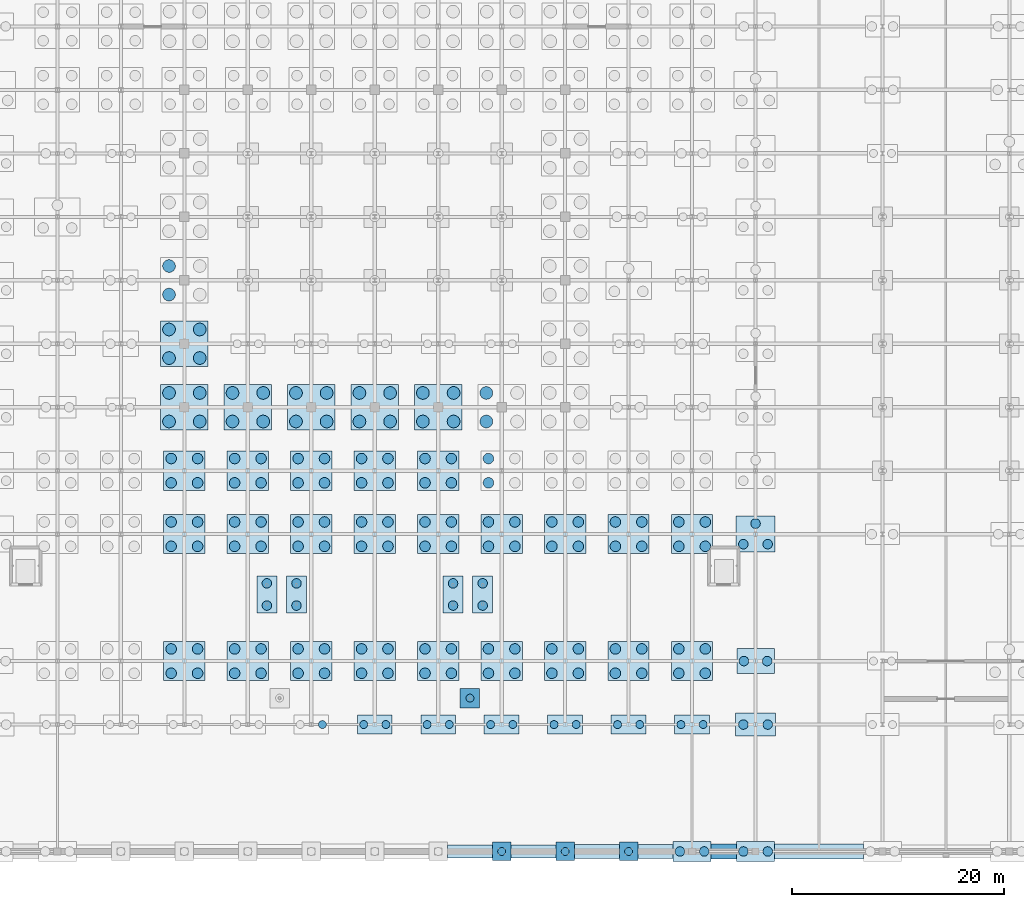
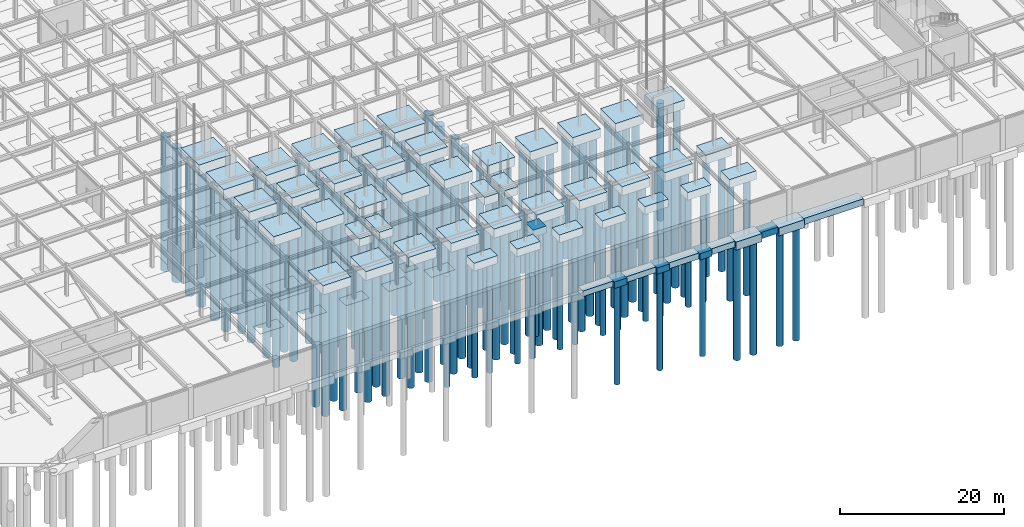
# One storey, part 3 of 69: 158 piles, 54 footings.
"""IFC4 building model written with IfcOpenShell, lengths in metres."""

from ifc_helpers import new_model, si_unit, direction, frame, origin, origin_2d, place, context, subcontext, project, spatial, rectangle, circle, extrude, material, material_profile, profile_set, type_object, element, save


model = new_model("IFC4")

# Units and contexts
model_context = context("Model", 3, precision=1e-05, world=origin(), true_north=direction((0.0, 1.0)))
body_context = subcontext(model_context, "Body", "Model", "MODEL_VIEW")
ifc_project = project(units=[si_unit("LENGTHUNIT", "METRE"), si_unit("AREAUNIT", "SQUARE_METRE"), si_unit("VOLUMEUNIT", "CUBIC_METRE"), si_unit("PLANEANGLEUNIT", "RADIAN"), si_unit("MASSUNIT", "GRAM", prefix="KILO")], contexts=[model_context])

# Site, building, storey
site_placement = place(None, origin())
site = spatial("IfcSite", under=ifc_project, at=site_placement, CompositionType="ELEMENT")
building_placement = place(site_placement, origin())
building = spatial("IfcBuilding", under=site, at=building_placement, Name="Zlatovratsky Civic Hall", CompositionType="ELEMENT")
storey_placement = place(building_placement, frame((0.0, 0.0, -4.800048828125)))
storey = spatial("IfcBuildingStorey", under=building, at=storey_placement, Name="B1", CompositionType="ELEMENT", Elevation=-4.800048828125)

# Footings
ifc_material = material(Name="Concrete C25/30 (B30)", Category="concrete")
footing_type_1 = type_object("IfcFootingType", Name="Footing_Cap1_CourtUnder_1850x1850x1000", PredefinedType="PILE_CAP", material=ifc_material)
footing_1_placement = place(storey_placement, frame((93.0, 14.5, -1.0), z_axis=(0.0, 0.0, 1.0), x_axis=(1.0, 0.0, 0.0)))
element("IfcFooting", 1, at=footing_1_placement, inside=storey, type_object=footing_type_1, Name="FD-500", PredefinedType="PILE_CAP", context=body_context, shape_type="SweptSolid", body=[
    extrude(rectangle(XDim=1.85009765625, YDim=1.85009765625, at=origin_2d()), origin(), (0.0, 0.0, 1.0), 1.0),
])
footing_type_2 = type_object("IfcFootingType", Name="Footing_Cap1_ForecourtUnder_1750x1750x950", PredefinedType="PILE_CAP", material=ifc_material)
for number, where, z_axis, x_axis, name in (
    (2, (96.0, 0.0, -0.94970703125), (0.0, 0.0, 1.0), (1.0, 0.0, 0.0), "FD-014"),
    (3, (102.0, 0.0, -0.94970703125), (0.0, 0.0, 1.0), (1.0, 0.0, 0.0), "FD-015"),
    (4, (108.0, 0.0, -0.94970703125), (0.0, 0.0, 1.0), (1.0, 0.0, 0.0), "FD-016"),
):
    element("IfcFooting", number, at=place(storey_placement, frame(where, z_axis=z_axis, x_axis=x_axis)), inside=storey, type_object=footing_type_2, Name=name, PredefinedType="PILE_CAP", context=body_context, shape_type="SweptSolid", body=[
        extrude(rectangle(XDim=1.75, YDim=1.75, at=origin_2d()), origin(), (0.0, 0.0, 1.0), 0.949951171875),
    ])
footing_type_3 = type_object("IfcFootingType", Name="Footing_Cap2_Boulevard_3550x2350x1300", PredefinedType="PILE_CAP", material=ifc_material)
footing_2_placement = place(storey_placement, frame((120.0, 18.0, -1.2998046875), z_axis=(0.0, 0.0, 1.0), x_axis=(1.0, 0.0, 0.0)))
element("IfcFooting", 5, at=footing_2_placement, inside=storey, type_object=footing_type_3, Name="FD-064", PredefinedType="PILE_CAP", context=body_context, shape_type="SweptSolid", body=[
    extrude(rectangle(XDim=3.550048828125, YDim=2.35009765625, at=origin_2d()), origin(), (0.0, 0.0, 1.0), 1.300048828125),
])
footing_type_4 = type_object("IfcFootingType", Name="Footing_Cap2_Portico_3300x1800x1150", PredefinedType="PILE_CAP", material=ifc_material)
for number, where, z_axis, x_axis, name in (
    (6, (84.0, 12.0, -1.14990234375), (0.0, 0.0, 1.0), (1.0, 0.0, 0.0), "FD-035"),
    (7, (90.0, 12.0, -1.14990234375), (0.0, 0.0, 1.0), (1.0, 0.0, 0.0), "FD-036"),
    (8, (96.0, 12.0, -1.14990234375), (0.0, 0.0, 1.0), (1.0, 0.0, 0.0), "FD-037"),
    (9, (102.0, 12.0, -1.14990234375), (0.0, 0.0, 1.0), (1.0, 0.0, 0.0), "FD-038"),
    (10, (108.0, 12.0, -1.14990234375), (0.0, 0.0, 1.0), (1.0, 0.0, 0.0), "FD-039"),
    (11, (114.0, 12.0, -1.14990234375), (0.0, 0.0, 1.0), (1.0, 0.0, 0.0), "FD-040"),
):
    element("IfcFooting", number, at=place(storey_placement, frame(where, z_axis=z_axis, x_axis=x_axis)), inside=storey, type_object=footing_type_4, Name=name, PredefinedType="PILE_CAP", context=body_context, shape_type="SweptSolid", body=[
        extrude(rectangle(XDim=3.300048828125, YDim=1.800048828125, at=origin_2d()), origin(), (0.0, 0.0, 1.0), 1.14990234375),
    ])
footing_type_5 = type_object("IfcFootingType", Name="Footing_Cap2_ServiceE_3750x2150x1250", PredefinedType="PILE_CAP", material=ifc_material)
footing_3_placement = place(storey_placement, frame((120.0, 12.0, -1.25), z_axis=(0.0, 0.0, 1.0), x_axis=(1.0, 0.0, 0.0)))
element("IfcFooting", 12, at=footing_3_placement, inside=storey, type_object=footing_type_5, Name="FD-041", PredefinedType="PILE_CAP", context=body_context, shape_type="SweptSolid", body=[
    extrude(rectangle(XDim=3.75, YDim=2.14990234375, at=origin_2d()), origin(), (0.0, 0.0, 1.0), 1.25),
])
footing_type_6 = type_object("IfcFootingType", Name="Footing_Cap2_WingEdgeX_3600x1900x1200", PredefinedType="PILE_CAP", material=ifc_material)
for number, where, z_axis, x_axis, name in (
    (13, (114.0, 0.0, -1.19970703125), (0.0, 0.0, 1.0), (1.0, 0.0, 0.0), "FD-017"),
    (14, (120.0, 0.0, -1.19970703125), (0.0, 0.0, 1.0), (1.0, 0.0, 0.0), "FD-018"),
):
    element("IfcFooting", number, at=place(storey_placement, frame(where, z_axis=z_axis, x_axis=x_axis)), inside=storey, type_object=footing_type_6, Name=name, PredefinedType="PILE_CAP", context=body_context, shape_type="SweptSolid", body=[
        extrude(rectangle(XDim=3.60009765625, YDim=1.89990234375, at=origin_2d()), origin(), (0.0, 0.0, 1.0), 1.199951171875),
    ])
footing_type_7 = type_object("IfcFootingType", Name="Footing_Cap2_WingEdgeY_1900x3500x1200", PredefinedType="PILE_CAP", material=ifc_material)
for number, where, z_axis, x_axis, name in (
    (15, (73.800048828125, 24.300048828125, -1.19970703125), (0.0, 0.0, 1.0), (1.0, 0.0, 0.0), "FD-495"),
    (16, (76.60009765625, 24.300048828125, -1.19970703125), (0.0, 0.0, 1.0), (1.0, 0.0, 0.0), "FD-496"),
    (17, (91.39990234375, 24.300048828125, -1.19970703125), (0.0, 0.0, 1.0), (1.0, 0.0, 0.0), "FD-497"),
    (18, (94.199951171875, 24.300048828125, -1.19970703125), (0.0, 0.0, 1.0), (1.0, 0.0, 0.0), "FD-498"),
):
    element("IfcFooting", number, at=place(storey_placement, frame(where, z_axis=z_axis, x_axis=x_axis)), inside=storey, type_object=footing_type_7, Name=name, PredefinedType="PILE_CAP", context=body_context, shape_type="SweptSolid", body=[
        extrude(rectangle(XDim=1.89990234375, YDim=3.5, at=origin_2d()), origin(), (0.0, 0.0, 1.0), 1.199951171875),
    ])
footing_type_8 = type_object("IfcFootingType", Name="Footing_Cap3_CourtEdge_3700x3400x1300", PredefinedType="PILE_CAP", material=ifc_material)
footing_4_placement = place(storey_placement, frame((120.0, 30.0, -1.2998046875), z_axis=(0.0, 0.0, 1.0), x_axis=(1.0, 0.0, 0.0)))
element("IfcFooting", 19, at=footing_4_placement, inside=storey, type_object=footing_type_8, Name="FD-087", PredefinedType="PILE_CAP", context=body_context, shape_type="SweptSolid", body=[
    extrude(rectangle(XDim=3.699951171875, YDim=3.39990234375, at=origin_2d()), origin(), (0.0, 0.0, 1.0), 1.300048828125),
])
footing_type_9 = type_object("IfcFootingType", Name="Footing_Cap4_ChamberDrum_4500x4300x1550", PredefinedType="PILE_CAP", material=ifc_material)
for number, where, z_axis, x_axis, name in (
    (20, (66.0, 42.0, -1.5498046875), (0.0, 0.0, 1.0), (1.0, 0.0, 0.0), "FD-124"),
    (21, (72.0, 42.0, -1.5498046875), (0.0, 0.0, 1.0), (1.0, 0.0, 0.0), "FD-125"),
    (22, (78.0, 42.0, -1.5498046875), (0.0, 0.0, 1.0), (1.0, 0.0, 0.0), "FD-126"),
    (23, (84.0, 42.0, -1.5498046875), (0.0, 0.0, 1.0), (1.0, 0.0, 0.0), "FD-127"),
    (24, (90.0, 42.0, -1.5498046875), (0.0, 0.0, 1.0), (1.0, 0.0, 0.0), "FD-128"),
    (25, (66.0, 48.0, -1.5498046875), (0.0, 0.0, 1.0), (1.0, 0.0, 0.0), "FD-147"),
):
    element("IfcFooting", number, at=place(storey_placement, frame(where, z_axis=z_axis, x_axis=x_axis)), inside=storey, type_object=footing_type_9, Name=name, PredefinedType="PILE_CAP", context=body_context, shape_type="SweptSolid", body=[
        extrude(rectangle(XDim=4.5, YDim=4.300048828125, at=origin_2d()), origin(), (0.0, 0.0, 1.0), 1.550048828125),
    ])
footing_type_10 = type_object("IfcFootingType", Name="Footing_Cap4_HallSpine_3900x3700x1350", PredefinedType="PILE_CAP", material=ifc_material)
for number, where, z_axis, x_axis, name in (
    (26, (66.0, 18.0, -1.35009765625), (0.0, 0.0, 1.0), (1.0, 0.0, 0.0), "FD-055"),
    (27, (72.0, 18.0, -1.35009765625), (0.0, 0.0, 1.0), (1.0, 0.0, 0.0), "FD-056"),
    (28, (78.0, 18.0, -1.35009765625), (0.0, 0.0, 1.0), (1.0, 0.0, 0.0), "FD-057"),
    (29, (84.0, 18.0, -1.35009765625), (0.0, 0.0, 1.0), (1.0, 0.0, 0.0), "FD-058"),
    (30, (90.0, 18.0, -1.35009765625), (0.0, 0.0, 1.0), (1.0, 0.0, 0.0), "FD-059"),
    (31, (96.0, 18.0, -1.35009765625), (0.0, 0.0, 1.0), (1.0, 0.0, 0.0), "FD-060"),
    (32, (102.0, 18.0, -1.35009765625), (0.0, 0.0, 1.0), (1.0, 0.0, 0.0), "FD-061"),
    (33, (108.0, 18.0, -1.35009765625), (0.0, 0.0, 1.0), (1.0, 0.0, 0.0), "FD-062"),
    (34, (114.0, 18.0, -1.35009765625), (0.0, 0.0, 1.0), (1.0, 0.0, 0.0), "FD-063"),
    (35, (66.0, 30.0, -1.35009765625), (0.0, 0.0, 1.0), (1.0, 0.0, 0.0), "FD-078"),
    (36, (72.0, 30.0, -1.35009765625), (0.0, 0.0, 1.0), (1.0, 0.0, 0.0), "FD-079"),
    (37, (78.0, 30.0, -1.35009765625), (0.0, 0.0, 1.0), (1.0, 0.0, 0.0), "FD-080"),
    (38, (84.0, 30.0, -1.35009765625), (0.0, 0.0, 1.0), (1.0, 0.0, 0.0), "FD-081"),
    (39, (90.0, 30.0, -1.35009765625), (0.0, 0.0, 1.0), (1.0, 0.0, 0.0), "FD-082"),
    (40, (96.0, 30.0, -1.35009765625), (0.0, 0.0, 1.0), (1.0, 0.0, 0.0), "FD-083"),
    (41, (102.0, 30.0, -1.35009765625), (0.0, 0.0, 1.0), (1.0, 0.0, 0.0), "FD-084"),
    (42, (108.0, 30.0, -1.35009765625), (0.0, 0.0, 1.0), (1.0, 0.0, 0.0), "FD-085"),
    (43, (114.0, 30.0, -1.35009765625), (0.0, 0.0, 1.0), (1.0, 0.0, 0.0), "FD-086"),
    (44, (66.0, 36.0, -1.35009765625), (0.0, 0.0, 1.0), (1.0, 0.0, 0.0), "FD-101"),
    (45, (72.0, 36.0, -1.35009765625), (0.0, 0.0, 1.0), (1.0, 0.0, 0.0), "FD-102"),
    (46, (78.0, 36.0, -1.35009765625), (0.0, 0.0, 1.0), (1.0, 0.0, 0.0), "FD-103"),
    (47, (84.0, 36.0, -1.35009765625), (0.0, 0.0, 1.0), (1.0, 0.0, 0.0), "FD-104"),
    (48, (90.0, 36.0, -1.35009765625), (0.0, 0.0, 1.0), (1.0, 0.0, 0.0), "FD-105"),
):
    element("IfcFooting", number, at=place(storey_placement, frame(where, z_axis=z_axis, x_axis=x_axis)), inside=storey, type_object=footing_type_10, Name=name, PredefinedType="PILE_CAP", context=body_context, shape_type="SweptSolid", body=[
        extrude(rectangle(XDim=3.89990234375, YDim=3.699951171875, at=origin_2d()), origin(), (0.0, 0.0, 1.0), 1.35009765625),
    ])
footing_type_11 = type_object("IfcFootingType", Name="Footing_Strip_B1_01", PredefinedType="STRIP_FOOTING", material=ifc_material)
footing_5_placement = place(storey_placement, frame((93.0, 0.0, -0.85009765625), z_axis=(0.0, 0.0, 1.0), x_axis=(1.0, 0.0, 0.0)))
element("IfcFooting", 49, at=footing_5_placement, inside=storey, type_object=footing_type_11, Name="FD-427", PredefinedType="STRIP_FOOTING", context=body_context, shape_type="SweptSolid", body=[
    extrude(rectangle(XDim=4.25, YDim=1.199951171875, at=origin_2d()), origin(), (0.0, 0.0, 1.0), 0.85009765625),
])
footing_type_12 = type_object("IfcFootingType", Name="Footing_Strip_B1_02", PredefinedType="STRIP_FOOTING", material=ifc_material)
footing_6_placement = place(storey_placement, frame((99.0, 0.0, -0.85009765625), z_axis=(0.0, 0.0, 1.0), x_axis=(1.0, 0.0, 0.0)))
element("IfcFooting", 50, at=footing_6_placement, inside=storey, type_object=footing_type_12, Name="FD-428", PredefinedType="STRIP_FOOTING", context=body_context, shape_type="SweptSolid", body=[
    extrude(rectangle(XDim=4.25, YDim=1.25, at=origin_2d()), origin(), (0.0, 0.0, 1.0), 0.85009765625),
])
footing_type_13 = type_object("IfcFootingType", Name="Footing_Strip_B1_03", PredefinedType="STRIP_FOOTING", material=ifc_material)
footing_7_placement = place(storey_placement, frame((105.0, 0.0, -0.89990234375), z_axis=(0.0, 0.0, 1.0), x_axis=(1.0, 0.0, 0.0)))
element("IfcFooting", 51, at=footing_7_placement, inside=storey, type_object=footing_type_13, Name="FD-429", PredefinedType="STRIP_FOOTING", context=body_context, shape_type="SweptSolid", body=[
    extrude(rectangle(XDim=4.25, YDim=1.300048828125, at=origin_2d()), origin(), (0.0, 0.0, 1.0), 0.89990234375),
])
footing_type_14 = type_object("IfcFootingType", Name="Footing_Strip_B1_04", PredefinedType="STRIP_FOOTING", material=ifc_material)
footing_8_placement = place(storey_placement, frame((110.53759765625, 0.0, -0.89990234375), z_axis=(0.0, 0.0, 1.0), x_axis=(1.0, 0.0, 0.0)))
element("IfcFooting", 52, at=footing_8_placement, inside=storey, type_object=footing_type_14, Name="FD-430", PredefinedType="STRIP_FOOTING", context=body_context, shape_type="SweptSolid", body=[
    extrude(rectangle(XDim=3.324951171875, YDim=1.35009765625, at=origin_2d()), origin(), (0.0, 0.0, 1.0), 0.89990234375),
])
footing_type_15 = type_object("IfcFootingType", Name="Footing_Strip_B1_05", PredefinedType="STRIP_FOOTING", material=ifc_material)
footing_9_placement = place(storey_placement, frame((117.0, 0.0, -0.94970703125), z_axis=(0.0, 0.0, 1.0), x_axis=(1.0, 0.0, 0.0)))
element("IfcFooting", 53, at=footing_9_placement, inside=storey, type_object=footing_type_15, Name="FD-431", PredefinedType="STRIP_FOOTING", context=body_context, shape_type="SweptSolid", body=[
    extrude(rectangle(XDim=2.39990234375, YDim=1.39990234375, at=origin_2d()), origin(), (0.0, 0.0, 1.0), 0.949951171875),
])
footing_type_16 = type_object("IfcFootingType", Name="Footing_Strip_B1_06", PredefinedType="STRIP_FOOTING", material=ifc_material)
footing_10_placement = place(storey_placement, frame((126.0, 0.0, -0.94970703125), z_axis=(0.0, 0.0, 1.0), x_axis=(1.0, 0.0, 0.0)))
element("IfcFooting", 54, at=footing_10_placement, inside=storey, type_object=footing_type_16, Name="FD-432", PredefinedType="STRIP_FOOTING", context=body_context, shape_type="SweptSolid", body=[
    extrude(rectangle(XDim=8.39990234375, YDim=1.449951171875, at=origin_2d()), origin(), (0.0, 0.0, 1.0), 0.949951171875),
])

# Piles
ifc_material_profile_1 = material_profile(ifc_material, circle(Radius=0.5, at=origin_2d()), Name="PILE D1000")
ifc_profile_set_1 = profile_set([ifc_material_profile_1], Name="Concrete C25/30 (B30)")
pile_type_1 = type_object("IfcPileType", Name="Pile_Bored_D1000", PredefinedType="BORED", material=ifc_profile_set_1)
for number, where, z_axis, x_axis, name in (
    (55, (64.75, 16.85009765625, -1.25), (0.0, 0.0, -1.0), (1.0, 0.0, 0.0), "PL-0110"),
    (56, (67.25, 16.85009765625, -1.25), (0.0, 0.0, -1.0), (1.0, 0.0, 0.0), "PL-0111"),
    (57, (64.75, 19.14990234375, -1.25), (0.0, 0.0, -1.0), (1.0, 0.0, 0.0), "PL-0112"),
    (58, (67.25, 19.14990234375, -1.25), (0.0, 0.0, -1.0), (1.0, 0.0, 0.0), "PL-0113"),
    (59, (70.75, 16.85009765625, -1.25), (0.0, 0.0, -1.0), (1.0, 0.0, 0.0), "PL-0114"),
    (60, (73.25, 16.85009765625, -1.25), (0.0, 0.0, -1.0), (1.0, 0.0, 0.0), "PL-0115"),
    (61, (70.75, 19.14990234375, -1.25), (0.0, 0.0, -1.0), (1.0, 0.0, 0.0), "PL-0116"),
    (62, (73.25, 19.14990234375, -1.25), (0.0, 0.0, -1.0), (1.0, 0.0, 0.0), "PL-0117"),
    (63, (76.75, 16.85009765625, -1.25), (0.0, 0.0, -1.0), (1.0, 0.0, 0.0), "PL-0118"),
    (64, (79.25, 16.85009765625, -1.25), (0.0, 0.0, -1.0), (1.0, 0.0, 0.0), "PL-0119"),
    (65, (76.75, 19.14990234375, -1.25), (0.0, 0.0, -1.0), (1.0, 0.0, 0.0), "PL-0120"),
    (66, (79.25, 19.14990234375, -1.25), (0.0, 0.0, -1.0), (1.0, 0.0, 0.0), "PL-0121"),
    (67, (82.75, 16.85009765625, -1.25), (0.0, 0.0, -1.0), (1.0, 0.0, 0.0), "PL-0122"),
    (68, (85.25, 16.85009765625, -1.25), (0.0, 0.0, -1.0), (1.0, 0.0, 0.0), "PL-0123"),
    (69, (82.75, 19.14990234375, -1.25), (0.0, 0.0, -1.0), (1.0, 0.0, 0.0), "PL-0124"),
    (70, (85.25, 19.14990234375, -1.25), (0.0, 0.0, -1.0), (1.0, 0.0, 0.0), "PL-0125"),
    (71, (88.75, 16.85009765625, -1.25), (0.0, 0.0, -1.0), (1.0, 0.0, 0.0), "PL-0126"),
    (72, (91.25, 16.85009765625, -1.25), (0.0, 0.0, -1.0), (1.0, 0.0, 0.0), "PL-0127"),
    (73, (88.75, 19.14990234375, -1.25), (0.0, 0.0, -1.0), (1.0, 0.0, 0.0), "PL-0128"),
    (74, (91.25, 19.14990234375, -1.25), (0.0, 0.0, -1.0), (1.0, 0.0, 0.0), "PL-0129"),
    (75, (94.75, 16.85009765625, -1.25), (0.0, 0.0, -1.0), (1.0, 0.0, 0.0), "PL-0130"),
    (76, (97.25, 16.85009765625, -1.25), (0.0, 0.0, -1.0), (1.0, 0.0, 0.0), "PL-0131"),
    (77, (94.75, 19.14990234375, -1.25), (0.0, 0.0, -1.0), (1.0, 0.0, 0.0), "PL-0132"),
    (78, (97.25, 19.14990234375, -1.25), (0.0, 0.0, -1.0), (1.0, 0.0, 0.0), "PL-0133"),
    (79, (100.75, 16.85009765625, -1.25), (0.0, 0.0, -1.0), (1.0, 0.0, 0.0), "PL-0134"),
    (80, (103.25, 16.85009765625, -1.25), (0.0, 0.0, -1.0), (1.0, 0.0, 0.0), "PL-0135"),
    (81, (100.75, 19.14990234375, -1.25), (0.0, 0.0, -1.0), (1.0, 0.0, 0.0), "PL-0136"),
    (82, (103.25, 19.14990234375, -1.25), (0.0, 0.0, -1.0), (1.0, 0.0, 0.0), "PL-0137"),
    (83, (106.75, 16.85009765625, -1.25), (0.0, 0.0, -1.0), (1.0, 0.0, 0.0), "PL-0138"),
    (84, (109.25, 16.85009765625, -1.25), (0.0, 0.0, -1.0), (1.0, 0.0, 0.0), "PL-0139"),
    (85, (106.75, 19.14990234375, -1.25), (0.0, 0.0, -1.0), (1.0, 0.0, 0.0), "PL-0140"),
    (86, (109.25, 19.14990234375, -1.25), (0.0, 0.0, -1.0), (1.0, 0.0, 0.0), "PL-0141"),
    (87, (112.75, 16.85009765625, -1.25), (0.0, 0.0, -1.0), (1.0, 0.0, 0.0), "PL-0142"),
    (88, (115.25, 16.85009765625, -1.25), (0.0, 0.0, -1.0), (1.0, 0.0, 0.0), "PL-0143"),
    (89, (112.75, 19.14990234375, -1.25), (0.0, 0.0, -1.0), (1.0, 0.0, 0.0), "PL-0144"),
    (90, (115.25, 19.14990234375, -1.25), (0.0, 0.0, -1.0), (1.0, 0.0, 0.0), "PL-0145"),
    (91, (64.75, 28.85009765625, -1.25), (0.0, 0.0, -1.0), (1.0, 0.0, 0.0), "PL-0189"),
    (92, (67.25, 28.85009765625, -1.25), (0.0, 0.0, -1.0), (1.0, 0.0, 0.0), "PL-0190"),
    (93, (64.75, 31.14990234375, -1.25), (0.0, 0.0, -1.0), (1.0, 0.0, 0.0), "PL-0191"),
    (94, (67.25, 31.14990234375, -1.25), (0.0, 0.0, -1.0), (1.0, 0.0, 0.0), "PL-0192"),
    (95, (70.75, 28.85009765625, -1.25), (0.0, 0.0, -1.0), (1.0, 0.0, 0.0), "PL-0193"),
    (96, (73.25, 28.85009765625, -1.25), (0.0, 0.0, -1.0), (1.0, 0.0, 0.0), "PL-0194"),
    (97, (70.75, 31.14990234375, -1.25), (0.0, 0.0, -1.0), (1.0, 0.0, 0.0), "PL-0195"),
    (98, (73.25, 31.14990234375, -1.25), (0.0, 0.0, -1.0), (1.0, 0.0, 0.0), "PL-0196"),
    (99, (76.75, 28.85009765625, -1.25), (0.0, 0.0, -1.0), (1.0, 0.0, 0.0), "PL-0197"),
    (100, (79.25, 28.85009765625, -1.25), (0.0, 0.0, -1.0), (1.0, 0.0, 0.0), "PL-0198"),
    (101, (76.75, 31.14990234375, -1.25), (0.0, 0.0, -1.0), (1.0, 0.0, 0.0), "PL-0199"),
    (102, (79.25, 31.14990234375, -1.25), (0.0, 0.0, -1.0), (1.0, 0.0, 0.0), "PL-0200"),
    (103, (82.75, 28.85009765625, -1.25), (0.0, 0.0, -1.0), (1.0, 0.0, 0.0), "PL-0201"),
    (104, (85.25, 28.85009765625, -1.25), (0.0, 0.0, -1.0), (1.0, 0.0, 0.0), "PL-0202"),
    (105, (82.75, 31.14990234375, -1.25), (0.0, 0.0, -1.0), (1.0, 0.0, 0.0), "PL-0203"),
    (106, (85.25, 31.14990234375, -1.25), (0.0, 0.0, -1.0), (1.0, 0.0, 0.0), "PL-0204"),
    (107, (88.75, 28.85009765625, -1.25), (0.0, 0.0, -1.0), (1.0, 0.0, 0.0), "PL-0205"),
    (108, (91.25, 28.85009765625, -1.25), (0.0, 0.0, -1.0), (1.0, 0.0, 0.0), "PL-0206"),
    (109, (88.75, 31.14990234375, -1.25), (0.0, 0.0, -1.0), (1.0, 0.0, 0.0), "PL-0207"),
    (110, (91.25, 31.14990234375, -1.25), (0.0, 0.0, -1.0), (1.0, 0.0, 0.0), "PL-0208"),
    (111, (94.75, 28.85009765625, -1.25), (0.0, 0.0, -1.0), (1.0, 0.0, 0.0), "PL-0209"),
    (112, (97.25, 28.85009765625, -1.25), (0.0, 0.0, -1.0), (1.0, 0.0, 0.0), "PL-0210"),
    (113, (94.75, 31.14990234375, -1.25), (0.0, 0.0, -1.0), (1.0, 0.0, 0.0), "PL-0211"),
    (114, (97.25, 31.14990234375, -1.25), (0.0, 0.0, -1.0), (1.0, 0.0, 0.0), "PL-0212"),
    (115, (100.75, 28.85009765625, -1.25), (0.0, 0.0, -1.0), (1.0, 0.0, 0.0), "PL-0213"),
    (116, (103.25, 28.85009765625, -1.25), (0.0, 0.0, -1.0), (1.0, 0.0, 0.0), "PL-0214"),
    (117, (100.75, 31.14990234375, -1.25), (0.0, 0.0, -1.0), (1.0, 0.0, 0.0), "PL-0215"),
    (118, (103.25, 31.14990234375, -1.25), (0.0, 0.0, -1.0), (1.0, 0.0, 0.0), "PL-0216"),
    (119, (106.75, 28.85009765625, -1.25), (0.0, 0.0, -1.0), (1.0, 0.0, 0.0), "PL-0217"),
    (120, (109.25, 28.85009765625, -1.25), (0.0, 0.0, -1.0), (1.0, 0.0, 0.0), "PL-0218"),
    (121, (106.75, 31.14990234375, -1.25), (0.0, 0.0, -1.0), (1.0, 0.0, 0.0), "PL-0219"),
    (122, (109.25, 31.14990234375, -1.25), (0.0, 0.0, -1.0), (1.0, 0.0, 0.0), "PL-0220"),
    (123, (112.75, 28.85009765625, -1.25), (0.0, 0.0, -1.0), (1.0, 0.0, 0.0), "PL-0221"),
    (124, (115.25, 28.85009765625, -1.25), (0.0, 0.0, -1.0), (1.0, 0.0, 0.0), "PL-0222"),
    (125, (112.75, 31.14990234375, -1.25), (0.0, 0.0, -1.0), (1.0, 0.0, 0.0), "PL-0223"),
    (126, (115.25, 31.14990234375, -1.25), (0.0, 0.0, -1.0), (1.0, 0.0, 0.0), "PL-0224"),
    (127, (64.75, 34.85009765625, -1.25), (0.0, 0.0, -1.0), (1.0, 0.0, 0.0), "PL-0263"),
    (128, (67.25, 34.85009765625, -1.25), (0.0, 0.0, -1.0), (1.0, 0.0, 0.0), "PL-0264"),
    (129, (64.75, 37.14990234375, -1.25), (0.0, 0.0, -1.0), (1.0, 0.0, 0.0), "PL-0265"),
    (130, (67.25, 37.14990234375, -1.25), (0.0, 0.0, -1.0), (1.0, 0.0, 0.0), "PL-0266"),
    (131, (70.75, 34.85009765625, -1.25), (0.0, 0.0, -1.0), (1.0, 0.0, 0.0), "PL-0267"),
    (132, (73.25, 34.85009765625, -1.25), (0.0, 0.0, -1.0), (1.0, 0.0, 0.0), "PL-0268"),
    (133, (70.75, 37.14990234375, -1.25), (0.0, 0.0, -1.0), (1.0, 0.0, 0.0), "PL-0269"),
    (134, (73.25, 37.14990234375, -1.25), (0.0, 0.0, -1.0), (1.0, 0.0, 0.0), "PL-0270"),
    (135, (76.75, 34.85009765625, -1.25), (0.0, 0.0, -1.0), (1.0, 0.0, 0.0), "PL-0271"),
    (136, (79.25, 34.85009765625, -1.25), (0.0, 0.0, -1.0), (1.0, 0.0, 0.0), "PL-0272"),
    (137, (76.75, 37.14990234375, -1.25), (0.0, 0.0, -1.0), (1.0, 0.0, 0.0), "PL-0273"),
    (138, (79.25, 37.14990234375, -1.25), (0.0, 0.0, -1.0), (1.0, 0.0, 0.0), "PL-0274"),
    (139, (82.75, 34.85009765625, -1.25), (0.0, 0.0, -1.0), (1.0, 0.0, 0.0), "PL-0275"),
    (140, (85.25, 34.85009765625, -1.25), (0.0, 0.0, -1.0), (1.0, 0.0, 0.0), "PL-0276"),
    (141, (82.75, 37.14990234375, -1.25), (0.0, 0.0, -1.0), (1.0, 0.0, 0.0), "PL-0277"),
    (142, (85.25, 37.14990234375, -1.25), (0.0, 0.0, -1.0), (1.0, 0.0, 0.0), "PL-0278"),
    (143, (88.75, 34.85009765625, -1.25), (0.0, 0.0, -1.0), (1.0, 0.0, 0.0), "PL-0279"),
    (144, (91.25, 34.85009765625, -1.25), (0.0, 0.0, -1.0), (1.0, 0.0, 0.0), "PL-0280"),
    (145, (88.75, 37.14990234375, -1.25), (0.0, 0.0, -1.0), (1.0, 0.0, 0.0), "PL-0281"),
    (146, (91.25, 37.14990234375, -1.25), (0.0, 0.0, -1.0), (1.0, 0.0, 0.0), "PL-0282"),
    (147, (94.75, 34.85009765625, -1.25), (0.0, 0.0, -1.0), (1.0, 0.0, 0.0), "PL-0283"),
    (148, (94.75, 37.14990234375, -1.25), (0.0, 0.0, -1.0), (1.0, 0.0, 0.0), "PL-0285"),
):
    element("IfcPile", number, at=place(storey_placement, frame(where, z_axis=z_axis, x_axis=x_axis)), inside=storey, type_object=pile_type_1, Name=name, PredefinedType="BORED", context=body_context, shape_type="SweptSolid", body=[
        extrude(circle(Radius=0.5, at=origin_2d()), origin(), (0.0, 0.0, 1.0), 18.5),
    ])
ifc_material_profile_2 = material_profile(ifc_material, circle(Radius=0.60009765625, at=origin_2d()), Name="PILE D1200")
ifc_profile_set_2 = profile_set([ifc_material_profile_2], Name="Concrete C25/30 (B30)")
pile_type_2 = type_object("IfcPileType", Name="Pile_Bored_D1200", PredefinedType="BORED", material=ifc_profile_set_2)
for number, where, z_axis, x_axis, name in (
    (149, (64.550048828125, 40.64990234375, -1.449951171875), (0.0, 0.0, -1.0), (1.0, 0.0, 0.0), "PL-0328"),
    (150, (67.449951171875, 40.64990234375, -1.449951171875), (0.0, 0.0, -1.0), (1.0, 0.0, 0.0), "PL-0329"),
    (151, (64.550048828125, 43.35009765625, -1.449951171875), (0.0, 0.0, -1.0), (1.0, 0.0, 0.0), "PL-0330"),
    (152, (67.449951171875, 43.35009765625, -1.449951171875), (0.0, 0.0, -1.0), (1.0, 0.0, 0.0), "PL-0331"),
    (153, (70.550048828125, 40.64990234375, -1.449951171875), (0.0, 0.0, -1.0), (1.0, 0.0, 0.0), "PL-0332"),
    (154, (73.449951171875, 40.64990234375, -1.449951171875), (0.0, 0.0, -1.0), (1.0, 0.0, 0.0), "PL-0333"),
    (155, (70.550048828125, 43.35009765625, -1.449951171875), (0.0, 0.0, -1.0), (1.0, 0.0, 0.0), "PL-0334"),
    (156, (73.449951171875, 43.35009765625, -1.449951171875), (0.0, 0.0, -1.0), (1.0, 0.0, 0.0), "PL-0335"),
    (157, (76.550048828125, 40.64990234375, -1.449951171875), (0.0, 0.0, -1.0), (1.0, 0.0, 0.0), "PL-0336"),
    (158, (79.449951171875, 40.64990234375, -1.449951171875), (0.0, 0.0, -1.0), (1.0, 0.0, 0.0), "PL-0337"),
    (159, (76.550048828125, 43.35009765625, -1.449951171875), (0.0, 0.0, -1.0), (1.0, 0.0, 0.0), "PL-0338"),
    (160, (79.449951171875, 43.35009765625, -1.449951171875), (0.0, 0.0, -1.0), (1.0, 0.0, 0.0), "PL-0339"),
    (161, (82.550048828125, 40.64990234375, -1.449951171875), (0.0, 0.0, -1.0), (1.0, 0.0, 0.0), "PL-0340"),
    (162, (85.449951171875, 40.64990234375, -1.449951171875), (0.0, 0.0, -1.0), (1.0, 0.0, 0.0), "PL-0341"),
    (163, (82.550048828125, 43.35009765625, -1.449951171875), (0.0, 0.0, -1.0), (1.0, 0.0, 0.0), "PL-0342"),
    (164, (85.449951171875, 43.35009765625, -1.449951171875), (0.0, 0.0, -1.0), (1.0, 0.0, 0.0), "PL-0343"),
    (165, (88.550048828125, 40.64990234375, -1.449951171875), (0.0, 0.0, -1.0), (1.0, 0.0, 0.0), "PL-0344"),
    (166, (91.449951171875, 40.64990234375, -1.449951171875), (0.0, 0.0, -1.0), (1.0, 0.0, 0.0), "PL-0345"),
    (167, (88.550048828125, 43.35009765625, -1.449951171875), (0.0, 0.0, -1.0), (1.0, 0.0, 0.0), "PL-0346"),
    (168, (91.449951171875, 43.35009765625, -1.449951171875), (0.0, 0.0, -1.0), (1.0, 0.0, 0.0), "PL-0347"),
    (169, (94.550048828125, 40.64990234375, -1.449951171875), (0.0, 0.0, -1.0), (1.0, 0.0, 0.0), "PL-0348"),
    (170, (94.550048828125, 43.35009765625, -1.449951171875), (0.0, 0.0, -1.0), (1.0, 0.0, 0.0), "PL-0350"),
    (171, (64.550048828125, 46.64990234375, -1.449951171875), (0.0, 0.0, -1.0), (1.0, 0.0, 0.0), "PL-0388"),
    (172, (67.449951171875, 46.64990234375, -1.449951171875), (0.0, 0.0, -1.0), (1.0, 0.0, 0.0), "PL-0389"),
    (173, (64.550048828125, 49.35009765625, -1.449951171875), (0.0, 0.0, -1.0), (1.0, 0.0, 0.0), "PL-0390"),
    (174, (67.449951171875, 49.35009765625, -1.449951171875), (0.0, 0.0, -1.0), (1.0, 0.0, 0.0), "PL-0391"),
    (175, (64.550048828125, 52.64990234375, -1.449951171875), (0.0, 0.0, -1.0), (1.0, 0.0, 0.0), "PL-0438"),
    (176, (64.550048828125, 55.35009765625, -1.449951171875), (0.0, 0.0, -1.0), (1.0, 0.0, 0.0), "PL-0440"),
):
    element("IfcPile", number, at=place(storey_placement, frame(where, z_axis=z_axis, x_axis=x_axis)), inside=storey, type_object=pile_type_2, Name=name, PredefinedType="BORED", context=body_context, shape_type="SweptSolid", body=[
        extrude(circle(Radius=0.60009765625, at=origin_2d()), origin(), (0.0, 0.0, 1.0), 20.0),
    ])
ifc_material_profile_3 = material_profile(ifc_material, circle(Radius=0.375, at=origin_2d()), Name="PILE D750")
ifc_profile_set_3 = profile_set([ifc_material_profile_3], Name="Concrete C25/30 (B30)")
pile_type_3 = type_object("IfcPileType", Name="Pile_Bored_D750", PredefinedType="BORED", material=ifc_profile_set_3)
for number, where, z_axis, x_axis, name in (
    (177, (96.0, 0.0, -0.849853515625), (0.0, 0.0, -1.0), (1.0, 0.0, 0.0), "PL-0021"),
    (178, (102.0, 0.0, -0.849853515625), (0.0, 0.0, -1.0), (1.0, 0.0, 0.0), "PL-0022"),
    (179, (108.0, 0.0, -0.849853515625), (0.0, 0.0, -1.0), (1.0, 0.0, 0.0), "PL-0023"),
):
    element("IfcPile", number, at=place(storey_placement, frame(where, z_axis=z_axis, x_axis=x_axis)), inside=storey, type_object=pile_type_3, Name=name, PredefinedType="BORED", context=body_context, shape_type="SweptSolid", body=[
        extrude(circle(Radius=0.375, at=origin_2d()), origin(), (0.0, 0.0, 1.0), 15.0),
    ])
for number, where, z_axis, x_axis, name in (
    (180, (79.050048828125, 12.0, -1.050048828125), (0.0, 0.0, -1.0), (1.0, 0.0, 0.0), "PL-0060"),
    (181, (82.949951171875, 12.0, -1.050048828125), (0.0, 0.0, -1.0), (1.0, 0.0, 0.0), "PL-0061"),
    (182, (85.050048828125, 12.0, -1.050048828125), (0.0, 0.0, -1.0), (1.0, 0.0, 0.0), "PL-0062"),
    (183, (88.949951171875, 12.0, -1.050048828125), (0.0, 0.0, -1.0), (1.0, 0.0, 0.0), "PL-0063"),
    (184, (91.050048828125, 12.0, -1.050048828125), (0.0, 0.0, -1.0), (1.0, 0.0, 0.0), "PL-0064"),
    (185, (94.949951171875, 12.0, -1.050048828125), (0.0, 0.0, -1.0), (1.0, 0.0, 0.0), "PL-0065"),
    (186, (97.050048828125, 12.0, -1.050048828125), (0.0, 0.0, -1.0), (1.0, 0.0, 0.0), "PL-0066"),
    (187, (100.949951171875, 12.0, -1.050048828125), (0.0, 0.0, -1.0), (1.0, 0.0, 0.0), "PL-0067"),
    (188, (103.050048828125, 12.0, -1.050048828125), (0.0, 0.0, -1.0), (1.0, 0.0, 0.0), "PL-0068"),
    (189, (106.949951171875, 12.0, -1.050048828125), (0.0, 0.0, -1.0), (1.0, 0.0, 0.0), "PL-0069"),
    (190, (109.050048828125, 12.0, -1.050048828125), (0.0, 0.0, -1.0), (1.0, 0.0, 0.0), "PL-0070"),
    (191, (112.949951171875, 12.0, -1.050048828125), (0.0, 0.0, -1.0), (1.0, 0.0, 0.0), "PL-0071"),
    (192, (115.050048828125, 12.0, -1.050048828125), (0.0, 0.0, -1.0), (1.0, 0.0, 0.0), "PL-0072"),
):
    element("IfcPile", number, at=place(storey_placement, frame(where, z_axis=z_axis, x_axis=x_axis)), inside=storey, type_object=pile_type_3, Name=name, PredefinedType="BORED", context=body_context, shape_type="SweptSolid", body=[
        extrude(circle(Radius=0.375, at=origin_2d()), origin(), (0.0, 0.0, 1.0), 16.5),
    ])
pile_placement = place(storey_placement, frame((93.0, 14.5, -0.89990234375), z_axis=(0.0, 0.0, -1.0), x_axis=(1.0, 0.0, 0.0)))
element("IfcPile", 193, at=pile_placement, inside=storey, type_object=pile_type_3, Name="PL-1133", PredefinedType="BORED", context=body_context, shape_type="SweptSolid", body=[
    extrude(circle(Radius=0.375, at=origin_2d()), origin(), (0.0, 0.0, 1.0), 15.5),
])
ifc_material_profile_4 = material_profile(ifc_material, circle(Radius=0.449951171875, at=origin_2d()), Name="PILE D900")
ifc_profile_set_4 = profile_set([ifc_material_profile_4], Name="Concrete C25/30 (B30)")
pile_type_4 = type_object("IfcPileType", Name="Pile_Bored_D900", PredefinedType="BORED", material=ifc_profile_set_4)
for number, where, z_axis, x_axis, name in (
    (194, (112.85009765625, 0.0, -1.099853515625), (0.0, 0.0, -1.0), (1.0, 0.0, 0.0), "PL-0024"),
    (195, (115.14990234375, 0.0, -1.099853515625), (0.0, 0.0, -1.0), (1.0, 0.0, 0.0), "PL-0025"),
    (196, (118.85009765625, 0.0, -1.099853515625), (0.0, 0.0, -1.0), (1.0, 0.0, 0.0), "PL-0026"),
    (197, (121.14990234375, 0.0, -1.099853515625), (0.0, 0.0, -1.0), (1.0, 0.0, 0.0), "PL-0027"),
):
    element("IfcPile", number, at=place(storey_placement, frame(where, z_axis=z_axis, x_axis=x_axis)), inside=storey, type_object=pile_type_4, Name=name, PredefinedType="BORED", context=body_context, shape_type="SweptSolid", body=[
        extrude(circle(Radius=0.449951171875, at=origin_2d()), origin(), (0.0, 0.0, 1.0), 17.0),
    ])
for number, where, z_axis, x_axis, name in (
    (198, (118.85009765625, 12.0, -1.14990234375), (0.0, 0.0, -1.0), (1.0, 0.0, 0.0), "PL-0073"),
    (199, (121.14990234375, 12.0, -1.14990234375), (0.0, 0.0, -1.0), (1.0, 0.0, 0.0), "PL-0074"),
    (200, (118.89990234375, 18.0, -1.199951171875), (0.0, 0.0, -1.0), (1.0, 0.0, 0.0), "PL-0146"),
    (201, (121.10009765625, 18.0, -1.199951171875), (0.0, 0.0, -1.0), (1.0, 0.0, 0.0), "PL-0147"),
    (202, (118.85009765625, 29.050048828125, -1.199951171875), (0.0, 0.0, -1.0), (1.0, 0.0, 0.0), "PL-0225"),
    (203, (121.14990234375, 29.050048828125, -1.199951171875), (0.0, 0.0, -1.0), (1.0, 0.0, 0.0), "PL-0226"),
    (204, (120.0, 31.0, -1.199951171875), (0.0, 0.0, -1.0), (1.0, 0.0, 0.0), "PL-0227"),
):
    element("IfcPile", number, at=place(storey_placement, frame(where, z_axis=z_axis, x_axis=x_axis)), inside=storey, type_object=pile_type_4, Name=name, PredefinedType="BORED", context=body_context, shape_type="SweptSolid", body=[
        extrude(circle(Radius=0.449951171875, at=origin_2d()), origin(), (0.0, 0.0, 1.0), 17.5),
    ])
for number, where, z_axis, x_axis, name in (
    (205, (73.800048828125, 23.25, -1.099853515625), (0.0, 0.0, -1.0), (1.0, 0.0, 0.0), "PL-1124"),
    (206, (73.800048828125, 25.35009765625, -1.099853515625), (0.0, 0.0, -1.0), (1.0, 0.0, 0.0), "PL-1125"),
    (207, (76.60009765625, 23.25, -1.099853515625), (0.0, 0.0, -1.0), (1.0, 0.0, 0.0), "PL-1126"),
    (208, (76.60009765625, 25.35009765625, -1.099853515625), (0.0, 0.0, -1.0), (1.0, 0.0, 0.0), "PL-1127"),
    (209, (91.39990234375, 23.25, -1.099853515625), (0.0, 0.0, -1.0), (1.0, 0.0, 0.0), "PL-1128"),
    (210, (91.39990234375, 25.35009765625, -1.099853515625), (0.0, 0.0, -1.0), (1.0, 0.0, 0.0), "PL-1129"),
    (211, (94.199951171875, 23.25, -1.099853515625), (0.0, 0.0, -1.0), (1.0, 0.0, 0.0), "PL-1130"),
    (212, (94.199951171875, 25.35009765625, -1.099853515625), (0.0, 0.0, -1.0), (1.0, 0.0, 0.0), "PL-1131"),
):
    element("IfcPile", number, at=place(storey_placement, frame(where, z_axis=z_axis, x_axis=x_axis)), inside=storey, type_object=pile_type_4, Name=name, PredefinedType="BORED", context=body_context, shape_type="SweptSolid", body=[
        extrude(circle(Radius=0.449951171875, at=origin_2d()), origin(), (0.0, 0.0, 1.0), 17.0),
    ])

save(model, "model.ifc")
